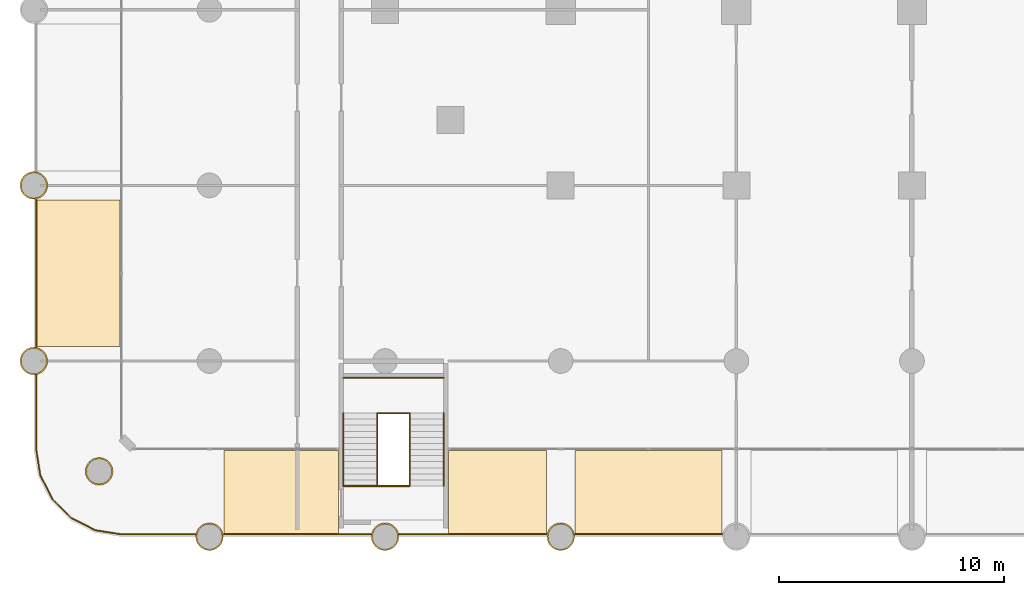
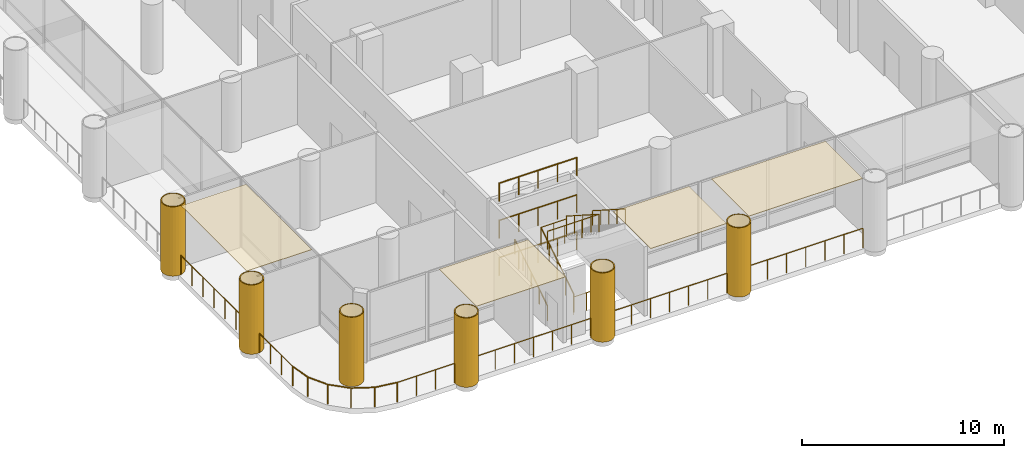
# One storey, part 20 of 24: 17 railings, 10 coverings, 1 element without a shape of its own.
"""IFC4 building model written with IfcOpenShell, lengths in metres."""

import ifcopenshell
import ifcopenshell.guid

model = None  # the IFC model being written
_history = None  # IfcOwnerHistory: only IFC2X3 demands one
_inside = {}  # id of a spatial element -> (the spatial element, [elements in it])
_under = {}  # id of a project, library or spatial element -> (it, [spatial elements below it])
_declared = {}  # id of a project -> (the project, [libraries it declares])
_typed = {}  # id of a type object -> (the type object, [elements of that type])
_made_of = {}  # id of a material, layer set ... -> (it, [elements and type objects made of it])


def new_model(schema):
    """Start an empty IFC model of exactly this schema.

    Asked for "IFC4X3", IfcOpenShell would pick the latest addendum, in which some entities
    have other attributes; the version numbers below select the first issue.
    IFC2X3 requires an IfcOwnerHistory on every rooted entity: one is made here for all.
    """
    global model, _history
    if schema == "IFC4X3":
        model = ifcopenshell.file(schema_version=(4, 3, 0, 0))
    else:
        model = ifcopenshell.file(schema=schema)
    _inside.clear()
    _under.clear()
    _declared.clear()
    _typed.clear()
    _made_of.clear()
    _history = None
    if model.schema == "IFC2X3":
        org = make("IfcOrganization", Name="unknown")
        user = make(
            "IfcPersonAndOrganization",
            ThePerson=make("IfcPerson", FamilyName="unknown"),
            TheOrganization=org,
        )
        app = make(
            "IfcApplication",
            ApplicationDeveloper=org,
            Version="unknown",
            ApplicationFullName="unknown",
            ApplicationIdentifier="unknown",
        )
        _history = make(
            "IfcOwnerHistory",
            OwningUser=user,
            OwningApplication=app,
            ChangeAction="ADDED",
            CreationDate=0,
        )
    return model


def make(cls, **values):
    """One entity of the class cls with the attributes given. An attribute that is None is left unset."""
    return model.create_entity(
        cls, **{name: value for name, value in values.items() if value is not None}
    )


def rooted(cls, **values):
    """An entity with a GlobalId (a new one), such as an element, a storey or a relation."""
    return make(cls, GlobalId=ifcopenshell.guid.new(), OwnerHistory=_history, **values)


def si_unit(unit_type, name, prefix=None):
    """IfcSIUnit, for example si_unit("LENGTHUNIT", "METRE", prefix="MILLI")."""
    return make("IfcSIUnit", UnitType=unit_type, Prefix=prefix, Name=name)


def assignment(units):
    """IfcUnitAssignment: the units of a project."""
    return None if units is None else make("IfcUnitAssignment", Units=units)


def point(xyz):
    """IfcCartesianPoint."""
    return None if xyz is None else make("IfcCartesianPoint", Coordinates=xyz)


def direction(xyz):
    """IfcDirection."""
    return None if xyz is None else make("IfcDirection", DirectionRatios=xyz)


def frame(location, z_axis=None, x_axis=None):
    """IfcAxis2Placement3D, a coordinate frame: its origin and axes. An axis left out is left unset."""
    return make(
        "IfcAxis2Placement3D",
        Location=point(location),
        Axis=direction(z_axis),
        RefDirection=direction(x_axis),
    )


def frame_2d(location, x_axis=None):
    """IfcAxis2Placement2D, a coordinate frame in the plane: its origin and x axis."""
    return make(
        "IfcAxis2Placement2D", Location=point(location), RefDirection=direction(x_axis)
    )


def origin():
    """The frame at (0, 0, 0) with its axes left unset."""
    return frame((0.0, 0.0, 0.0))


def origin_2d():
    """The frame at (0, 0) in the plane with its x axis left unset."""
    return frame_2d((0.0, 0.0))


def place(relative_to, where):
    """IfcLocalPlacement: puts the frame where relative to a parent placement (None: the world)."""
    return make(
        "IfcLocalPlacement", PlacementRelTo=relative_to, RelativePlacement=where
    )


def context(
    kind, dimensions, precision=None, world=None, true_north=None, identifier=None
):
    """IfcGeometricRepresentationContext, for example the 3D "Model" context."""
    return make(
        "IfcGeometricRepresentationContext",
        ContextIdentifier=identifier,
        ContextType=kind,
        CoordinateSpaceDimension=dimensions,
        Precision=precision,
        WorldCoordinateSystem=world,
        TrueNorth=true_north,
    )


def subcontext(parent, identifier, kind, view, scale=None):
    """IfcGeometricRepresentationSubContext, for example "Body" below "Model"."""
    return make(
        "IfcGeometricRepresentationSubContext",
        ContextIdentifier=identifier,
        ContextType=kind,
        ParentContext=parent,
        TargetScale=scale,
        TargetView=view,
    )


def project(units=None, contexts=None):
    """IfcProject with its units and contexts."""
    return rooted(
        "IfcProject",
        Name="project",
        RepresentationContexts=contexts,
        UnitsInContext=assignment(units),
    )


def spatial(cls, under=None, at=None, **own):
    """A site, building, storey or space (cls), placed at a placement, below another one or the project."""
    s = rooted(cls, ObjectPlacement=at, **own)
    if under is not None:
        _under.setdefault(under.id(), (under, []))[1].append(s)
    return s


def polyline(points):
    """IfcPolyline through the points."""
    return make("IfcPolyline", Points=[point(p) for p in points])


def profile(cls, at=None, kind="AREA", **sizes):
    """A parametric profile (cls). Its sizes go by their IFC names, for example OverallWidth=200.0."""
    return make(cls, ProfileType=kind, Position=at, **sizes)


def rectangle(**sizes):
    """IfcRectangleProfileDef."""
    return profile("IfcRectangleProfileDef", **sizes)


def circle(**sizes):
    """IfcCircleProfileDef."""
    return profile("IfcCircleProfileDef", **sizes)


def outline(outer, holes=None, kind="AREA"):
    """IfcArbitraryClosedProfileDef: a profile drawn as a closed curve; with holes, ...WithVoids."""
    if holes is None:
        return make("IfcArbitraryClosedProfileDef", ProfileType=kind, OuterCurve=outer)
    return make(
        "IfcArbitraryProfileDefWithVoids",
        ProfileType=kind,
        OuterCurve=outer,
        InnerCurves=holes,
    )


def extrude(swept, where, along, depth):
    """IfcExtrudedAreaSolid: the profile swept, set in the frame where, extruded along a direction by depth."""
    return make(
        "IfcExtrudedAreaSolid",
        SweptArea=swept,
        Position=where,
        ExtrudedDirection=direction(along),
        Depth=depth,
    )


def shape(context_of_items, identifier, shape_type, items):
    """IfcShapeRepresentation: the items that make up one representation, for example the "Body"."""
    return make(
        "IfcShapeRepresentation",
        ContextOfItems=context_of_items,
        RepresentationIdentifier=identifier,
        RepresentationType=shape_type,
        Items=items,
    )


def material(Name=None, Category=None):
    """IfcMaterial."""
    return make("IfcMaterial", Name=Name, Category=Category)


def layer(
    of_material, thickness, ventilated=None, Name=None, Category=None, Priority=None
):
    """IfcMaterialLayer: one layer of a wall or slab, of a material (None: an air gap)."""
    return make(
        "IfcMaterialLayer",
        Material=of_material,
        LayerThickness=thickness,
        IsVentilated=ventilated,
        Name=Name,
        Category=Category,
        Priority=Priority,
    )


def layer_set(layers, Name=None):
    """IfcMaterialLayerSet."""
    return make("IfcMaterialLayerSet", MaterialLayers=layers, LayerSetName=Name)


def made_of(thing, what):
    """Note that an element or type object is made of a material, layer set ...; save() writes the relation."""
    if what is not None:
        _made_of.setdefault(what.id(), (what, []))[1].append(thing)
    return thing


def type_object(cls, material=None, **own):
    """A type object (cls), such as IfcWallType, which elements share."""
    return made_of(rooted(cls, **own), material)


def element(
    cls,
    number,
    at=None,
    inside=None,
    cuts=None,
    type_object=None,
    material=None,
    context=None,
    identifier="Body",
    shape_type=None,
    held_by="IfcProductDefinitionShape",
    body=None,
    shapes=None,
    **own,
):
    """One element of the class cls, such as IfcWall. Its Tag is "e" and its number.

    at: its placement. inside: the storey or other place that contains it. cuts: it is an
    opening in that element (IfcRelVoidsElement). A single representation is given by context,
    identifier, shape_type and body (its items); several are given by shapes. held_by: the class
    of the entity that holds the representations. save() writes the other relations.
    """
    e = rooted(cls, Tag="e%d" % number, ObjectPlacement=at, **own)
    if body is not None:
        shapes = [shape(context, identifier, shape_type, body)]
    if shapes is not None:
        e.Representation = make(held_by, Representations=shapes)
    if inside is not None:
        _inside.setdefault(inside.id(), (inside, []))[1].append(e)
    if cuts is not None:
        rooted(
            "IfcRelVoidsElement", RelatingBuildingElement=cuts, RelatedOpeningElement=e
        )
    if type_object is not None:
        _typed.setdefault(type_object.id(), (type_object, []))[1].append(e)
    return made_of(e, material)


def aggregate(whole, parts):
    """IfcRelAggregates: a whole, such as a stair, and the parts it consists of."""
    return rooted("IfcRelAggregates", RelatingObject=whole, RelatedObjects=parts)


def save(model, path):
    """Write the relations noted so far, then the file.

    IfcRelAggregates (storeys below a building ...), IfcRelContainedInSpatialStructure (elements
    in a storey), IfcRelDefinesByType, IfcRelAssociatesMaterial and IfcRelDeclares: one each for
    every whole, place, type object, material and project.
    """
    for whole, parts in _under.values():
        aggregate(whole, parts)
    for where, things in _inside.values():
        rooted(
            "IfcRelContainedInSpatialStructure",
            RelatedElements=things,
            RelatingStructure=where,
        )
    for kind, things in _typed.values():
        rooted("IfcRelDefinesByType", RelatedObjects=things, RelatingType=kind)
    for what, things in _made_of.values():
        rooted("IfcRelAssociatesMaterial", RelatedObjects=things, RelatingMaterial=what)
    for by, libraries in _declared.values():
        rooted("IfcRelDeclares", RelatingContext=by, RelatedDefinitions=libraries)
    model.write(path)


model = new_model("IFC4")

# Units and contexts
model_context = context("Model", 3, precision=1e-05, world=origin(), true_north=direction((0.0, 1.0)))
body_context = subcontext(model_context, "Body", "Model", "MODEL_VIEW")
ifc_project = project(units=[si_unit("LENGTHUNIT", "METRE"), si_unit("AREAUNIT", "SQUARE_METRE"), si_unit("VOLUMEUNIT", "CUBIC_METRE"), si_unit("PLANEANGLEUNIT", "RADIAN"), si_unit("MASSUNIT", "GRAM", prefix="KILO")], contexts=[model_context])

# Site, building, storey
site_placement = place(None, origin())
site = spatial("IfcSite", under=ifc_project, at=site_placement, CompositionType="ELEMENT")
building_placement = place(site_placement, origin())
building = spatial("IfcBuilding", under=site, at=building_placement, Name="Ludao Terraces", CompositionType="ELEMENT")
storey_placement = place(building_placement, frame((0.0, 0.0, 6.0)))
storey = spatial("IfcBuildingStorey", under=building, at=storey_placement, Name="L01", CompositionType="ELEMENT", Elevation=6.0)

# Coverings
ifc_material_1 = material(Name="Stone-effect cement board ceiling lining", Category="masonry")
ifc_layer_1 = layer(ifc_material_1, 0.030029296875)
ifc_layer_set_1 = layer_set([ifc_layer_1], Name="ENV Arcade ceiling lining 30")
covering_type_1 = type_object("IfcCoveringType", Name="ENV Arcade ceiling lining 30", PredefinedType="CEILING", material=ifc_layer_set_1)
covering_1_placement = place(storey_placement, frame((56.985107421875, 27.9599609375, 4.169921875), z_axis=(0.0, 0.0, 1.0), x_axis=(1.0, 0.0, 0.0)))
element("IfcCovering", 1, at=covering_1_placement, inside=storey, type_object=covering_type_1, Name="CL-L01-S1", PredefinedType="CEILING", context=body_context, shape_type="SweptSolid", body=[
    extrude(rectangle(XDim=5.090087890625, YDim=3.719970703125, at=origin_2d()), origin(), (0.0, 0.0, 1.0), 0.030029296875),
])
covering_2_placement = place(storey_placement, frame((66.590087890625, 27.9599609375, 4.169921875), z_axis=(0.0, 0.0, 1.0), x_axis=(1.0, 0.0, 0.0)))
element("IfcCovering", 2, at=covering_2_placement, inside=storey, type_object=covering_type_1, Name="CL-L01-S2", PredefinedType="CEILING", context=body_context, shape_type="SweptSolid", body=[
    extrude(rectangle(XDim=4.340087890625, YDim=3.719970703125, at=origin_2d()), origin(), (0.0, 0.0, 1.0), 0.030029296875),
])
covering_3_placement = place(storey_placement, frame((73.300048828125, 27.9599609375, 4.169921875), z_axis=(0.0, 0.0, 1.0), x_axis=(1.0, 0.0, 0.0)))
element("IfcCovering", 3, at=covering_3_placement, inside=storey, type_object=covering_type_1, Name="CL-L01-S3", PredefinedType="CEILING", context=body_context, shape_type="SweptSolid", body=[
    extrude(rectangle(XDim=6.52001953125, YDim=3.719970703125, at=origin_2d()), origin(), (0.0, 0.0, 1.0), 0.030029296875),
])
covering_4_placement = place(storey_placement, frame((47.9599609375, 37.699951171875, 4.169921875), z_axis=(0.0, 0.0, 1.0), x_axis=(1.0, 0.0, 0.0)))
element("IfcCovering", 4, at=covering_4_placement, inside=storey, type_object=covering_type_1, Name="CL-L01-W1", PredefinedType="CEILING", context=body_context, shape_type="SweptSolid", body=[
    extrude(rectangle(XDim=3.719970703125, YDim=6.52001953125, at=origin_2d()), origin(), (0.0, 0.0, 1.0), 0.030029296875),
])

# Railings
ifc_material_2 = material(Name="Steel Q235", Category="steel")
railing_type_1 = type_object("IfcRailingType", Name="ENV Open-edge guard 1200", PredefinedType="GUARDRAIL", material=ifc_material_2)
railing_1_placement = place(storey_placement, frame((49.89990234375, 26.10009765625, 0.0)))
element("IfcRailing", 5, at=railing_1_placement, inside=storey, type_object=railing_type_1, Name="Guard L01 S1", PredefinedType="GUARDRAIL", context=body_context, shape_type="SweptSolid", body=[
    extrude(circle(Radius=0.02392578125, at=origin_2d()), frame((0.0, 0.0, 1.17578125), z_axis=(1.0, 0.0, 0.0), x_axis=(0.0, 1.0, 0.0)), (0.0, 0.0, 1.0), 3.280029296875),
    extrude(circle(Radius=0.02099609375, at=origin_2d()), origin(), (0.0, 0.0, 1.0), 1.15185546875),
    extrude(circle(Radius=0.02099609375, at=origin_2d()), frame((1.09326171875, 0.0, 0.0)), (0.0, 0.0, 1.0), 1.15185546875),
    extrude(circle(Radius=0.02099609375, at=origin_2d()), frame((2.186767578125, 0.0, 0.0)), (0.0, 0.0, 1.0), 1.15185546875),
    extrude(circle(Radius=0.02099609375, at=origin_2d()), frame((3.280029296875, 0.0, 0.0)), (0.0, 0.0, 1.0), 1.15185546875),
])
for number, where, name in (
    (6, (54.419921875, 26.10009765625, 0.0), "Guard L01 S2"),
    (7, (62.219970703125, 26.10009765625, 0.0), "Guard L01 S3"),
    (8, (70.02001953125, 26.10009765625, 0.0), "Guard L01 S4"),
):
    element("IfcRailing", number, at=place(storey_placement, frame(where)), inside=storey, type_object=railing_type_1, Name=name, PredefinedType="GUARDRAIL", context=body_context, shape_type="SweptSolid", body=[
        extrude(circle(Radius=0.02392578125, at=origin_2d()), frame((0.0, 0.0, 1.17578125), z_axis=(1.0, 0.0, 0.0), x_axis=(0.0, 1.0, 0.0)), (0.0, 0.0, 1.0), 6.56005859375),
        extrude(circle(Radius=0.02099609375, at=origin_2d()), origin(), (0.0, 0.0, 1.0), 1.15185546875),
        extrude(circle(Radius=0.02099609375, at=origin_2d()), frame((1.09326171875, 0.0, 0.0)), (0.0, 0.0, 1.0), 1.15185546875),
        extrude(circle(Radius=0.02099609375, at=origin_2d()), frame((2.186767578125, 0.0, 0.0)), (0.0, 0.0, 1.0), 1.15185546875),
        extrude(circle(Radius=0.02099609375, at=origin_2d()), frame((3.280029296875, 0.0, 0.0)), (0.0, 0.0, 1.0), 1.15185546875),
        extrude(circle(Radius=0.02099609375, at=origin_2d()), frame((4.373291015625, 0.0, 0.0)), (0.0, 0.0, 1.0), 1.15185546875),
        extrude(circle(Radius=0.02099609375, at=origin_2d()), frame((5.466796875, 0.0, 0.0)), (0.0, 0.0, 1.0), 1.15185546875),
        extrude(circle(Radius=0.02099609375, at=origin_2d()), frame((6.56005859375, 0.0, 0.0)), (0.0, 0.0, 1.0), 1.15185546875),
    ])
railing_2_placement = place(storey_placement, frame((46.10009765625, 29.89990234375, 0.0)))
element("IfcRailing", 9, at=railing_2_placement, inside=storey, type_object=railing_type_1, Name="Guard L01 W1", PredefinedType="GUARDRAIL", context=body_context, shape_type="SweptSolid", body=[
    extrude(circle(Radius=0.02392578125, at=origin_2d()), frame((0.0, 0.0, 1.17578125), z_axis=(0.0, 1.0, 0.0), x_axis=(-1.0, 0.0, 0.0)), (0.0, 0.0, 1.0), 3.280029296875),
    extrude(circle(Radius=0.02099609375, at=origin_2d()), origin(), (0.0, 0.0, 1.0), 1.15185546875),
    extrude(circle(Radius=0.02099609375, at=origin_2d()), frame((0.0, 1.09326171875, 0.0)), (0.0, 0.0, 1.0), 1.15185546875),
    extrude(circle(Radius=0.02099609375, at=origin_2d()), frame((0.0, 2.186767578125, 0.0)), (0.0, 0.0, 1.0), 1.15185546875),
    extrude(circle(Radius=0.02099609375, at=origin_2d()), frame((0.0, 3.280029296875, 0.0)), (0.0, 0.0, 1.0), 1.15185546875),
])
railing_3_placement = place(storey_placement, frame((46.10009765625, 34.419921875, 0.0)))
element("IfcRailing", 10, at=railing_3_placement, inside=storey, type_object=railing_type_1, Name="Guard L01 W2", PredefinedType="GUARDRAIL", context=body_context, shape_type="SweptSolid", body=[
    extrude(circle(Radius=0.02392578125, at=origin_2d()), frame((0.0, 0.0, 1.17578125), z_axis=(0.0, 1.0, 0.0), x_axis=(-1.0, 0.0, 0.0)), (0.0, 0.0, 1.0), 6.56005859375),
    extrude(circle(Radius=0.02099609375, at=origin_2d()), origin(), (0.0, 0.0, 1.0), 1.15185546875),
    extrude(circle(Radius=0.02099609375, at=origin_2d()), frame((0.0, 1.09326171875, 0.0)), (0.0, 0.0, 1.0), 1.15185546875),
    extrude(circle(Radius=0.02099609375, at=origin_2d()), frame((0.0, 2.186767578125, 0.0)), (0.0, 0.0, 1.0), 1.15185546875),
    extrude(circle(Radius=0.02099609375, at=origin_2d()), frame((0.0, 3.280029296875, 0.0)), (0.0, 0.0, 1.0), 1.15185546875),
    extrude(circle(Radius=0.02099609375, at=origin_2d()), frame((0.0, 4.373291015625, 0.0)), (0.0, 0.0, 1.0), 1.15185546875),
    extrude(circle(Radius=0.02099609375, at=origin_2d()), frame((0.0, 5.466796875, 0.0)), (0.0, 0.0, 1.0), 1.15185546875),
    extrude(circle(Radius=0.02099609375, at=origin_2d()), frame((0.0, 6.56005859375, 0.0)), (0.0, 0.0, 1.0), 1.15185546875),
])
railing_4_placement = place(storey_placement, frame((46.10009765625, 29.89990234375, 0.0)))
element("IfcRailing", 11, at=railing_4_placement, inside=storey, type_object=railing_type_1, Name="Guard L01 SW", PredefinedType="GUARDRAIL", context=body_context, shape_type="SweptSolid", body=[
    extrude(circle(Radius=0.02392578125, at=origin_2d()), frame((0.0, 0.0, 1.17578125), z_axis=(0.156300066377, -0.987709617879, 0.0), x_axis=(0.987709617879, 0.156300066377, 0.0)), (0.0, 0.0, 1.0), 1.188720703125),
    extrude(circle(Radius=0.02392578125, at=origin_2d()), frame((0.185791015625, -1.174072265625, 1.17578125), z_axis=(0.454018062405, -0.890992479772, 0.0), x_axis=(0.890992479772, 0.454018062405, 0.0)), (0.0, 0.0, 1.0), 1.18896484375),
    extrude(circle(Radius=0.02392578125, at=origin_2d()), frame((0.7255859375, -2.2333984375, 1.17578125), z_axis=(0.707106781187, -0.707106781187, 0.0), x_axis=(0.707106781187, 0.707106781187, 0.0)), (0.0, 0.0, 1.0), 1.189208984375),
    extrude(circle(Radius=0.02392578125, at=origin_2d()), frame((1.56640625, -3.07421875, 1.17578125), z_axis=(0.890992479772, -0.454018062405, 0.0), x_axis=(0.454018062405, 0.890992479772, 0.0)), (0.0, 0.0, 1.0), 1.18896484375),
    extrude(circle(Radius=0.02392578125, at=origin_2d()), frame((2.625732421875, -3.614013671875, 1.17578125), z_axis=(0.987709617879, -0.156300066377, 0.0), x_axis=(0.156300066377, 0.987709617879, 0.0)), (0.0, 0.0, 1.0), 1.188720703125),
    extrude(circle(Radius=0.02099609375, at=origin_2d()), origin(), (0.0, 0.0, 1.0), 1.15185546875),
    extrude(circle(Radius=0.02099609375, at=origin_2d()), frame((0.185791015625, -1.174072265625, 0.0)), (0.0, 0.0, 1.0), 1.15185546875),
    extrude(circle(Radius=0.02099609375, at=origin_2d()), frame((0.7255859375, -2.2333984375, 0.0)), (0.0, 0.0, 1.0), 1.15185546875),
    extrude(circle(Radius=0.02099609375, at=origin_2d()), frame((1.56640625, -3.07421875, 0.0)), (0.0, 0.0, 1.0), 1.15185546875),
    extrude(circle(Radius=0.02099609375, at=origin_2d()), frame((2.625732421875, -3.614013671875, 0.0)), (0.0, 0.0, 1.0), 1.15185546875),
    extrude(circle(Radius=0.02099609375, at=origin_2d()), frame((3.7998046875, -3.7998046875, 0.0)), (0.0, 0.0, 1.0), 1.15185546875),
])

# Coverings
ifc_material_3 = material(Name="Granite cladding", Category="masonry")
ifc_layer_2 = layer(ifc_material_3, 0.06005859375)
ifc_layer_set_2 = layer_set([ifc_layer_2], Name="ENV Stone column casing 60")
covering_type_2 = type_object("IfcCoveringType", Name="ENV Stone column casing 60", PredefinedType="CLADDING", material=ifc_layer_set_2)
covering_5_placement = place(storey_placement, origin())
element("IfcCovering", 12, at=covering_5_placement, inside=storey, type_object=covering_type_2, Name="CC-L01-G-127x-127", PredefinedType="CLADDING", context=body_context, shape_type="SweptSolid", body=[
    extrude(outline(polyline([(49.5146484375, 28.89990234375), (49.493896484375, 29.05908203125), (49.432373046875, 29.207275390625), (49.334716796875, 29.334716796875), (49.207275390625, 29.432373046875), (49.05908203125, 29.493896484375), (48.89990234375, 29.5146484375), (48.740966796875, 29.493896484375), (48.592529296875, 29.432373046875), (48.46533203125, 29.334716796875), (48.36767578125, 29.207275390625), (48.30615234375, 29.05908203125), (48.28515625, 28.89990234375), (48.30615234375, 28.740966796875), (48.36767578125, 28.592529296875), (48.46533203125, 28.46533203125), (48.592529296875, 28.36767578125), (48.740966796875, 28.30615234375), (48.89990234375, 28.28515625), (49.05908203125, 28.30615234375), (49.207275390625, 28.36767578125), (49.334716796875, 28.46533203125), (49.432373046875, 28.592529296875), (49.493896484375, 28.740966796875), (49.5146484375, 28.89990234375)]), holes=[polyline([(49.435791015625, 28.75634765625), (49.38037109375, 28.62255859375), (49.292236328125, 28.5078125), (49.177490234375, 28.419677734375), (49.04345703125, 28.3642578125), (48.89990234375, 28.34521484375), (48.75634765625, 28.3642578125), (48.62255859375, 28.419677734375), (48.5078125, 28.5078125), (48.419677734375, 28.62255859375), (48.3642578125, 28.75634765625), (48.34521484375, 28.89990234375), (48.3642578125, 29.04345703125), (48.419677734375, 29.177490234375), (48.5078125, 29.292236328125), (48.62255859375, 29.38037109375), (48.75634765625, 29.435791015625), (48.89990234375, 29.454833984375), (49.04345703125, 29.435791015625), (49.177490234375, 29.38037109375), (49.292236328125, 29.292236328125), (49.38037109375, 29.177490234375), (49.435791015625, 29.04345703125), (49.454833984375, 28.89990234375), (49.435791015625, 28.75634765625)])]), origin(), (0.0, 0.0, 1.0), 4.199951171875),
])
covering_6_placement = place(storey_placement, origin())
element("IfcCovering", 13, at=covering_6_placement, inside=storey, type_object=covering_type_2, Name="CC-L01-G-156x-078", PredefinedType="CLADDING", context=body_context, shape_type="SweptSolid", body=[
    extrude(outline(polyline([(46.61474609375, 33.800048828125), (46.59375, 33.959228515625), (46.532470703125, 34.107421875), (46.4345703125, 34.234619140625), (46.307373046875, 34.332275390625), (46.1591796875, 34.393798828125), (46.0, 34.414794921875), (45.8408203125, 34.393798828125), (45.692626953125, 34.332275390625), (45.5654296875, 34.234619140625), (45.467529296875, 34.107421875), (45.40625, 33.959228515625), (45.38525390625, 33.800048828125), (45.40625, 33.640869140625), (45.467529296875, 33.49267578125), (45.5654296875, 33.365234375), (45.692626953125, 33.267578125), (45.8408203125, 33.206298828125), (46.0, 33.185302734375), (46.1591796875, 33.206298828125), (46.307373046875, 33.267578125), (46.4345703125, 33.365234375), (46.532470703125, 33.49267578125), (46.59375, 33.640869140625), (46.61474609375, 33.800048828125)]), holes=[polyline([(46.535888671875, 33.656494140625), (46.48046875, 33.522705078125), (46.392333984375, 33.40771484375), (46.27734375, 33.319580078125), (46.1435546875, 33.26416015625), (46.0, 33.245361328125), (45.8564453125, 33.26416015625), (45.72265625, 33.319580078125), (45.607666015625, 33.40771484375), (45.51953125, 33.522705078125), (45.464111328125, 33.656494140625), (45.4453125, 33.800048828125), (45.464111328125, 33.943603515625), (45.51953125, 34.077392578125), (45.607666015625, 34.1923828125), (45.72265625, 34.280517578125), (45.8564453125, 34.3359375), (46.0, 34.354736328125), (46.1435546875, 34.3359375), (46.27734375, 34.280517578125), (46.392333984375, 34.1923828125), (46.48046875, 34.077392578125), (46.535888671875, 33.943603515625), (46.5546875, 33.800048828125), (46.535888671875, 33.656494140625)])]), origin(), (0.0, 0.0, 1.0), 4.199951171875),
])
covering_7_placement = place(storey_placement, origin())
element("IfcCovering", 14, at=covering_7_placement, inside=storey, type_object=covering_type_2, Name="CC-L01-G-156x0000", PredefinedType="CLADDING", context=body_context, shape_type="SweptSolid", body=[
    extrude(outline(polyline([(46.61474609375, 41.60009765625), (46.59375, 41.759033203125), (46.532470703125, 41.907470703125), (46.4345703125, 42.03466796875), (46.307373046875, 42.13232421875), (46.1591796875, 42.19384765625), (46.0, 42.21484375), (45.8408203125, 42.19384765625), (45.692626953125, 42.13232421875), (45.5654296875, 42.03466796875), (45.467529296875, 41.907470703125), (45.40625, 41.759033203125), (45.38525390625, 41.60009765625), (45.40625, 41.44091796875), (45.467529296875, 41.292724609375), (45.5654296875, 41.165283203125), (45.692626953125, 41.067626953125), (45.8408203125, 41.006103515625), (46.0, 40.9853515625), (46.1591796875, 41.006103515625), (46.307373046875, 41.067626953125), (46.4345703125, 41.165283203125), (46.532470703125, 41.292724609375), (46.59375, 41.44091796875), (46.61474609375, 41.60009765625)]), holes=[polyline([(46.535888671875, 41.45654296875), (46.48046875, 41.322509765625), (46.392333984375, 41.207763671875), (46.27734375, 41.11962890625), (46.1435546875, 41.064208984375), (46.0, 41.045166015625), (45.8564453125, 41.064208984375), (45.72265625, 41.11962890625), (45.607666015625, 41.207763671875), (45.51953125, 41.322509765625), (45.464111328125, 41.45654296875), (45.4453125, 41.60009765625), (45.464111328125, 41.74365234375), (45.51953125, 41.87744140625), (45.607666015625, 41.9921875), (45.72265625, 42.080322265625), (45.8564453125, 42.1357421875), (46.0, 42.15478515625), (46.1435546875, 42.1357421875), (46.27734375, 42.080322265625), (46.392333984375, 41.9921875), (46.48046875, 41.87744140625), (46.535888671875, 41.74365234375), (46.5546875, 41.60009765625), (46.535888671875, 41.45654296875)])]), origin(), (0.0, 0.0, 1.0), 4.199951171875),
])
covering_8_placement = place(storey_placement, origin())
element("IfcCovering", 15, at=covering_8_placement, inside=storey, type_object=covering_type_2, Name="CC-L01-G-078x-156", PredefinedType="CLADDING", context=body_context, shape_type="SweptSolid", body=[
    extrude(outline(polyline([(54.414794921875, 26.0), (54.393798828125, 26.1591796875), (54.332275390625, 26.307373046875), (54.234619140625, 26.4345703125), (54.107421875, 26.532470703125), (53.959228515625, 26.59375), (53.800048828125, 26.61474609375), (53.640869140625, 26.59375), (53.49267578125, 26.532470703125), (53.365234375, 26.4345703125), (53.267578125, 26.307373046875), (53.206298828125, 26.1591796875), (53.185302734375, 26.0), (53.206298828125, 25.8408203125), (53.267578125, 25.692626953125), (53.365234375, 25.5654296875), (53.49267578125, 25.467529296875), (53.640869140625, 25.40625), (53.800048828125, 25.38525390625), (53.959228515625, 25.40625), (54.107421875, 25.467529296875), (54.234619140625, 25.5654296875), (54.332275390625, 25.692626953125), (54.393798828125, 25.8408203125), (54.414794921875, 26.0)]), holes=[polyline([(54.3359375, 25.8564453125), (54.280517578125, 25.72265625), (54.1923828125, 25.607666015625), (54.077392578125, 25.51953125), (53.943603515625, 25.464111328125), (53.800048828125, 25.4453125), (53.656494140625, 25.464111328125), (53.522705078125, 25.51953125), (53.40771484375, 25.607666015625), (53.319580078125, 25.72265625), (53.26416015625, 25.8564453125), (53.245361328125, 26.0), (53.26416015625, 26.1435546875), (53.319580078125, 26.27734375), (53.40771484375, 26.392333984375), (53.522705078125, 26.48046875), (53.656494140625, 26.535888671875), (53.800048828125, 26.5546875), (53.943603515625, 26.535888671875), (54.077392578125, 26.48046875), (54.1923828125, 26.392333984375), (54.280517578125, 26.27734375), (54.3359375, 26.1435546875), (54.354736328125, 26.0), (54.3359375, 25.8564453125)])]), origin(), (0.0, 0.0, 1.0), 4.199951171875),
])
covering_9_placement = place(storey_placement, origin())
element("IfcCovering", 16, at=covering_9_placement, inside=storey, type_object=covering_type_2, Name="CC-L01-G0000x-156", PredefinedType="CLADDING", context=body_context, shape_type="SweptSolid", body=[
    extrude(outline(polyline([(62.21484375, 26.0), (62.19384765625, 26.1591796875), (62.13232421875, 26.307373046875), (62.03466796875, 26.4345703125), (61.907470703125, 26.532470703125), (61.759033203125, 26.59375), (61.60009765625, 26.61474609375), (61.44091796875, 26.59375), (61.292724609375, 26.532470703125), (61.165283203125, 26.4345703125), (61.067626953125, 26.307373046875), (61.006103515625, 26.1591796875), (60.9853515625, 26.0), (61.006103515625, 25.8408203125), (61.067626953125, 25.692626953125), (61.165283203125, 25.5654296875), (61.292724609375, 25.467529296875), (61.44091796875, 25.40625), (61.60009765625, 25.38525390625), (61.759033203125, 25.40625), (61.907470703125, 25.467529296875), (62.03466796875, 25.5654296875), (62.13232421875, 25.692626953125), (62.19384765625, 25.8408203125), (62.21484375, 26.0)]), holes=[polyline([(62.1357421875, 25.8564453125), (62.080322265625, 25.72265625), (61.9921875, 25.607666015625), (61.87744140625, 25.51953125), (61.74365234375, 25.464111328125), (61.60009765625, 25.4453125), (61.45654296875, 25.464111328125), (61.322509765625, 25.51953125), (61.207763671875, 25.607666015625), (61.11962890625, 25.72265625), (61.064208984375, 25.8564453125), (61.045166015625, 26.0), (61.064208984375, 26.1435546875), (61.11962890625, 26.27734375), (61.207763671875, 26.392333984375), (61.322509765625, 26.48046875), (61.45654296875, 26.535888671875), (61.60009765625, 26.5546875), (61.74365234375, 26.535888671875), (61.87744140625, 26.48046875), (61.9921875, 26.392333984375), (62.080322265625, 26.27734375), (62.1357421875, 26.1435546875), (62.15478515625, 26.0), (62.1357421875, 25.8564453125)])]), origin(), (0.0, 0.0, 1.0), 4.199951171875),
])
covering_10_placement = place(storey_placement, origin())
element("IfcCovering", 17, at=covering_10_placement, inside=storey, type_object=covering_type_2, Name="CC-L01-G0078x-156", PredefinedType="CLADDING", context=body_context, shape_type="SweptSolid", body=[
    extrude(outline(polyline([(70.0146484375, 26.0), (69.993896484375, 26.1591796875), (69.932373046875, 26.307373046875), (69.834716796875, 26.4345703125), (69.707275390625, 26.532470703125), (69.55908203125, 26.59375), (69.39990234375, 26.61474609375), (69.240966796875, 26.59375), (69.092529296875, 26.532470703125), (68.96533203125, 26.4345703125), (68.86767578125, 26.307373046875), (68.80615234375, 26.1591796875), (68.78515625, 26.0), (68.80615234375, 25.8408203125), (68.86767578125, 25.692626953125), (68.96533203125, 25.5654296875), (69.092529296875, 25.467529296875), (69.240966796875, 25.40625), (69.39990234375, 25.38525390625), (69.55908203125, 25.40625), (69.707275390625, 25.467529296875), (69.834716796875, 25.5654296875), (69.932373046875, 25.692626953125), (69.993896484375, 25.8408203125), (70.0146484375, 26.0)]), holes=[polyline([(69.935791015625, 25.8564453125), (69.88037109375, 25.72265625), (69.792236328125, 25.607666015625), (69.677490234375, 25.51953125), (69.54345703125, 25.464111328125), (69.39990234375, 25.4453125), (69.25634765625, 25.464111328125), (69.12255859375, 25.51953125), (69.0078125, 25.607666015625), (68.919677734375, 25.72265625), (68.8642578125, 25.8564453125), (68.84521484375, 26.0), (68.8642578125, 26.1435546875), (68.919677734375, 26.27734375), (69.0078125, 26.392333984375), (69.12255859375, 26.48046875), (69.25634765625, 26.535888671875), (69.39990234375, 26.5546875), (69.54345703125, 26.535888671875), (69.677490234375, 26.48046875), (69.792236328125, 26.392333984375), (69.88037109375, 26.27734375), (69.935791015625, 26.1435546875), (69.954833984375, 26.0), (69.935791015625, 25.8564453125)])]), origin(), (0.0, 0.0, 1.0), 4.199951171875),
])

# Stair, railings
ifc_material_4 = material(Name="Concrete C40", Category="concrete")
stair_type = type_object("IfcStairType", Name="INT Stair", PredefinedType="HALF_TURN_STAIR", material=ifc_material_4)
stair_placement = place(storey_placement, origin())
stair = element("IfcStair", 18, at=stair_placement, inside=storey, type_object=stair_type, Name="EXIT STAIR 4", PredefinedType="HALF_TURN_STAIR")
ifc_material_5 = material(Name="Stainless steel 304", Category="steel")
railing_type_2 = type_object("IfcRailingType", Name="INT Stair guard 1100", PredefinedType="GUARDRAIL", material=ifc_material_5)
railing_5_placement = place(storey_placement, frame((61.25, 28.25, 0.173095703125)))
railing_5 = element("IfcRailing", 19, at=railing_5_placement, type_object=railing_type_2, Name="ST-L01-S4-R1G", PredefinedType="GUARDRAIL", context=body_context, shape_type="SweptSolid", body=[
    extrude(circle(Radius=0.02392578125, at=origin_2d()), frame((0.0, 0.0, 1.076171875), z_axis=(0.0, 0.841880617004, 0.539663808971), x_axis=(-1.0, 0.0, 0.0)), (0.0, 0.0, 1.0), 3.8486328125),
    extrude(circle(Radius=0.02099609375, at=origin_2d()), origin(), (0.0, 0.0, 1.0), 1.052001953125),
    extrude(circle(Radius=0.02099609375, at=origin_2d()), frame((0.0, 0.81005859375, 0.519287109375)), (0.0, 0.0, 1.0), 1.052001953125),
    extrude(circle(Radius=0.02099609375, at=origin_2d()), frame((0.0, 1.6201171875, 1.03857421875)), (0.0, 0.0, 1.0), 1.052001953125),
    extrude(circle(Radius=0.02099609375, at=origin_2d()), frame((0.0, 2.429931640625, 1.5576171875)), (0.0, 0.0, 1.0), 1.052001953125),
    extrude(circle(Radius=0.02099609375, at=origin_2d()), frame((0.0, 3.239990234375, 2.076904296875)), (0.0, 0.0, 1.0), 1.052001953125),
])
railing_6_placement = place(storey_placement, frame((62.699951171875, 31.489990234375, 2.423095703125)))
railing_6 = element("IfcRailing", 20, at=railing_6_placement, type_object=railing_type_2, Name="ST-L01-S4-R2G", PredefinedType="GUARDRAIL", context=body_context, shape_type="SweptSolid", body=[
    extrude(circle(Radius=0.02392578125, at=origin_2d()), frame((0.0, 0.0, 1.076171875), z_axis=(0.0, -0.841880617004, 0.539663808971), x_axis=(1.0, 0.0, 0.0)), (0.0, 0.0, 1.0), 3.8486328125),
    extrude(circle(Radius=0.02099609375, at=origin_2d()), origin(), (0.0, 0.0, 1.0), 1.052001953125),
    extrude(circle(Radius=0.02099609375, at=origin_2d()), frame((0.0, -0.81005859375, 0.519287109375)), (0.0, 0.0, 1.0), 1.052001953125),
    extrude(circle(Radius=0.02099609375, at=origin_2d()), frame((0.0, -1.6201171875, 1.03857421875)), (0.0, 0.0, 1.0), 1.052001953125),
    extrude(circle(Radius=0.02099609375, at=origin_2d()), frame((0.0, -2.429931640625, 1.5576171875)), (0.0, 0.0, 1.0), 1.052001953125),
    extrude(circle(Radius=0.02099609375, at=origin_2d()), frame((0.0, -3.239990234375, 2.076904296875)), (0.0, 0.0, 1.0), 1.052001953125),
])
railing_7_placement = place(storey_placement, frame((61.25, 31.489990234375, 2.25)))
railing_7 = element("IfcRailing", 21, at=railing_7_placement, type_object=railing_type_2, Name="ST-L01-S4-E1G", PredefinedType="GUARDRAIL", context=body_context, shape_type="SweptSolid", body=[
    extrude(circle(Radius=0.02392578125, at=origin_2d()), frame((0.0, 0.0, 1.076171875), z_axis=(1.0, 0.0, 0.0), x_axis=(0.0, 1.0, 0.0)), (0.0, 0.0, 1.0), 1.449951171875),
    extrude(circle(Radius=0.02099609375, at=origin_2d()), origin(), (0.0, 0.0, 1.0), 1.052001953125),
    extrude(circle(Radius=0.02099609375, at=origin_2d()), frame((0.72509765625, 0.0, 0.0)), (0.0, 0.0, 1.0), 1.052001953125),
    extrude(circle(Radius=0.02099609375, at=origin_2d()), frame((1.449951171875, 0.0, 0.0)), (0.0, 0.0, 1.0), 1.052001953125),
])
railing_8_placement = place(storey_placement, frame((59.75, 33.050048828125, 2.25)))
railing_8 = element("IfcRailing", 22, at=railing_8_placement, type_object=railing_type_2, Name="ST-L01-S4-E2G", PredefinedType="GUARDRAIL", context=body_context, shape_type="SweptSolid", body=[
    extrude(circle(Radius=0.02392578125, at=origin_2d()), frame((0.0, 0.0, 1.076171875), z_axis=(1.0, 0.0, 0.0), x_axis=(0.0, 1.0, 0.0)), (0.0, 0.0, 1.0), 4.449951171875),
    extrude(circle(Radius=0.02099609375, at=origin_2d()), origin(), (0.0, 0.0, 1.0), 1.052001953125),
    extrude(circle(Radius=0.02099609375, at=origin_2d()), frame((1.112548828125, 0.0, 0.0)), (0.0, 0.0, 1.0), 1.052001953125),
    extrude(circle(Radius=0.02099609375, at=origin_2d()), frame((2.22509765625, 0.0, 0.0)), (0.0, 0.0, 1.0), 1.052001953125),
    extrude(circle(Radius=0.02099609375, at=origin_2d()), frame((3.33740234375, 0.0, 0.0)), (0.0, 0.0, 1.0), 1.052001953125),
    extrude(circle(Radius=0.02099609375, at=origin_2d()), frame((4.449951171875, 0.0, 0.0)), (0.0, 0.0, 1.0), 1.052001953125),
])
railing_9_placement = place(storey_placement, frame((61.25, 28.25, 0.0)))
railing_9 = element("IfcRailing", 23, at=railing_9_placement, type_object=railing_type_2, Name="ST-L01-S4-E3G", PredefinedType="GUARDRAIL", context=body_context, shape_type="SweptSolid", body=[
    extrude(circle(Radius=0.02392578125, at=origin_2d()), frame((0.0, 0.0, 1.076171875), z_axis=(1.0, 0.0, 0.0), x_axis=(0.0, 1.0, 0.0)), (0.0, 0.0, 1.0), 1.449951171875),
    extrude(circle(Radius=0.02099609375, at=origin_2d()), origin(), (0.0, 0.0, 1.0), 1.052001953125),
    extrude(circle(Radius=0.02099609375, at=origin_2d()), frame((0.72509765625, 0.0, 0.0)), (0.0, 0.0, 1.0), 1.052001953125),
    extrude(circle(Radius=0.02099609375, at=origin_2d()), frame((1.449951171875, 0.0, 0.0)), (0.0, 0.0, 1.0), 1.052001953125),
])
railing_10_placement = place(storey_placement, frame((59.75, 28.25, 4.5)))
railing_10 = element("IfcRailing", 24, at=railing_10_placement, type_object=railing_type_2, Name="ST-L01-S4-E4G", PredefinedType="GUARDRAIL", context=body_context, shape_type="SweptSolid", body=[
    extrude(circle(Radius=0.02392578125, at=origin_2d()), frame((0.0, 0.0, 1.076171875), z_axis=(1.0, 0.0, 0.0), x_axis=(0.0, 1.0, 0.0)), (0.0, 0.0, 1.0), 2.949951171875),
    extrude(circle(Radius=0.02099609375, at=origin_2d()), origin(), (0.0, 0.0, 1.0), 1.052001953125),
    extrude(circle(Radius=0.02099609375, at=origin_2d()), frame((0.9833984375, 0.0, 0.0)), (0.0, 0.0, 1.0), 1.052001953125),
    extrude(circle(Radius=0.02099609375, at=origin_2d()), frame((1.966552734375, 0.0, 0.0)), (0.0, 0.0, 1.0), 1.052001953125),
    extrude(circle(Radius=0.02099609375, at=origin_2d()), frame((2.949951171875, 0.0, 0.0)), (0.0, 0.0, 1.0), 1.052001953125),
])
railing_11_placement = place(storey_placement, frame((59.75, 33.050048828125, 0.0)))
railing_11 = element("IfcRailing", 25, at=railing_11_placement, type_object=railing_type_2, Name="ST-L01-S4-E5G", PredefinedType="GUARDRAIL", context=body_context, shape_type="SweptSolid", body=[
    extrude(circle(Radius=0.02392578125, at=origin_2d()), frame((0.0, 0.0, 1.076171875), z_axis=(1.0, 0.0, 0.0), x_axis=(0.0, 1.0, 0.0)), (0.0, 0.0, 1.0), 4.449951171875),
    extrude(circle(Radius=0.02099609375, at=origin_2d()), origin(), (0.0, 0.0, 1.0), 1.052001953125),
    extrude(circle(Radius=0.02099609375, at=origin_2d()), frame((1.112548828125, 0.0, 0.0)), (0.0, 0.0, 1.0), 1.052001953125),
    extrude(circle(Radius=0.02099609375, at=origin_2d()), frame((2.22509765625, 0.0, 0.0)), (0.0, 0.0, 1.0), 1.052001953125),
    extrude(circle(Radius=0.02099609375, at=origin_2d()), frame((3.33740234375, 0.0, 0.0)), (0.0, 0.0, 1.0), 1.052001953125),
    extrude(circle(Radius=0.02099609375, at=origin_2d()), frame((4.449951171875, 0.0, 0.0)), (0.0, 0.0, 1.0), 1.052001953125),
])
railing_12_placement = place(storey_placement, frame((59.75, 33.050048828125, 4.5)))
railing_12 = element("IfcRailing", 26, at=railing_12_placement, type_object=railing_type_2, Name="ST-L01-S4-E6G", PredefinedType="GUARDRAIL", context=body_context, shape_type="SweptSolid", body=[
    extrude(circle(Radius=0.02392578125, at=origin_2d()), frame((0.0, 0.0, 1.076171875), z_axis=(1.0, 0.0, 0.0), x_axis=(0.0, 1.0, 0.0)), (0.0, 0.0, 1.0), 4.449951171875),
    extrude(circle(Radius=0.02099609375, at=origin_2d()), origin(), (0.0, 0.0, 1.0), 1.052001953125),
    extrude(circle(Radius=0.02099609375, at=origin_2d()), frame((1.112548828125, 0.0, 0.0)), (0.0, 0.0, 1.0), 1.052001953125),
    extrude(circle(Radius=0.02099609375, at=origin_2d()), frame((2.22509765625, 0.0, 0.0)), (0.0, 0.0, 1.0), 1.052001953125),
    extrude(circle(Radius=0.02099609375, at=origin_2d()), frame((3.33740234375, 0.0, 0.0)), (0.0, 0.0, 1.0), 1.052001953125),
    extrude(circle(Radius=0.02099609375, at=origin_2d()), frame((4.449951171875, 0.0, 0.0)), (0.0, 0.0, 1.0), 1.052001953125),
])
railing_type_3 = type_object("IfcRailingType", Name="INT Stair handrail 900", PredefinedType="HANDRAIL", material=ifc_material_5)
railing_13_placement = place(storey_placement, frame((59.75, 28.25, 0.173095703125)))
railing_13 = element("IfcRailing", 27, at=railing_13_placement, type_object=railing_type_3, Name="ST-L01-S4-R1H", PredefinedType="HANDRAIL", context=body_context, shape_type="SweptSolid", body=[
    extrude(circle(Radius=0.02392578125, at=origin_2d()), frame((0.0, 0.0, 0.8759765625), z_axis=(0.0, 0.841880617004, 0.539663808971), x_axis=(-1.0, 0.0, 0.0)), (0.0, 0.0, 1.0), 3.8486328125),
    extrude(circle(Radius=0.02099609375, at=origin_2d()), origin(), (0.0, 0.0, 1.0), 0.851806640625),
    extrude(circle(Radius=0.02099609375, at=origin_2d()), frame((0.0, 0.81005859375, 0.519287109375)), (0.0, 0.0, 1.0), 0.851806640625),
    extrude(circle(Radius=0.02099609375, at=origin_2d()), frame((0.0, 1.6201171875, 1.03857421875)), (0.0, 0.0, 1.0), 0.851806640625),
    extrude(circle(Radius=0.02099609375, at=origin_2d()), frame((0.0, 2.429931640625, 1.5576171875)), (0.0, 0.0, 1.0), 0.851806640625),
    extrude(circle(Radius=0.02099609375, at=origin_2d()), frame((0.0, 3.239990234375, 2.076904296875)), (0.0, 0.0, 1.0), 0.851806640625),
])
railing_14_placement = place(storey_placement, frame((64.199951171875, 31.489990234375, 2.423095703125)))
railing_14 = element("IfcRailing", 28, at=railing_14_placement, type_object=railing_type_3, Name="ST-L01-S4-R2H", PredefinedType="HANDRAIL", context=body_context, shape_type="SweptSolid", body=[
    extrude(circle(Radius=0.02392578125, at=origin_2d()), frame((0.0, 0.0, 0.8759765625), z_axis=(0.0, -0.841880617004, 0.539663808971), x_axis=(1.0, 0.0, 0.0)), (0.0, 0.0, 1.0), 3.8486328125),
    extrude(circle(Radius=0.02099609375, at=origin_2d()), origin(), (0.0, 0.0, 1.0), 0.851806640625),
    extrude(circle(Radius=0.02099609375, at=origin_2d()), frame((0.0, -0.81005859375, 0.519287109375)), (0.0, 0.0, 1.0), 0.851806640625),
    extrude(circle(Radius=0.02099609375, at=origin_2d()), frame((0.0, -1.6201171875, 1.03857421875)), (0.0, 0.0, 1.0), 0.851806640625),
    extrude(circle(Radius=0.02099609375, at=origin_2d()), frame((0.0, -2.429931640625, 1.5576171875)), (0.0, 0.0, 1.0), 0.851806640625),
    extrude(circle(Radius=0.02099609375, at=origin_2d()), frame((0.0, -3.239990234375, 2.076904296875)), (0.0, 0.0, 1.0), 0.851806640625),
])
aggregate(stair, [railing_5, railing_13, railing_6, railing_14, railing_7, railing_8, railing_9, railing_10, railing_11, railing_12])

save(model, "model.ifc")
